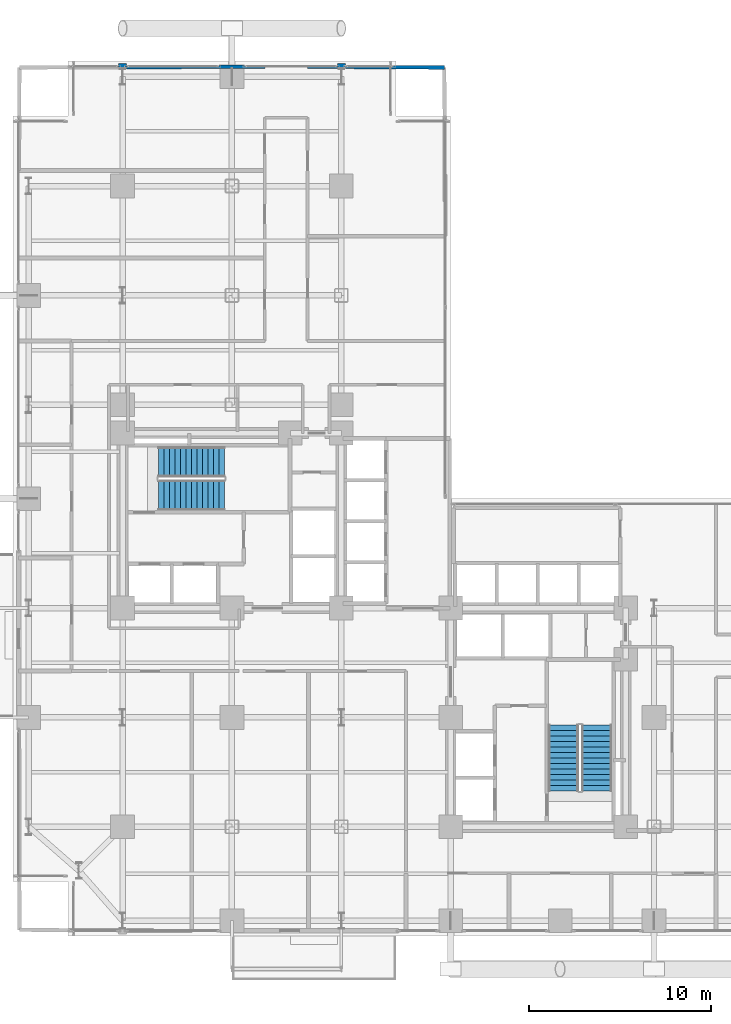
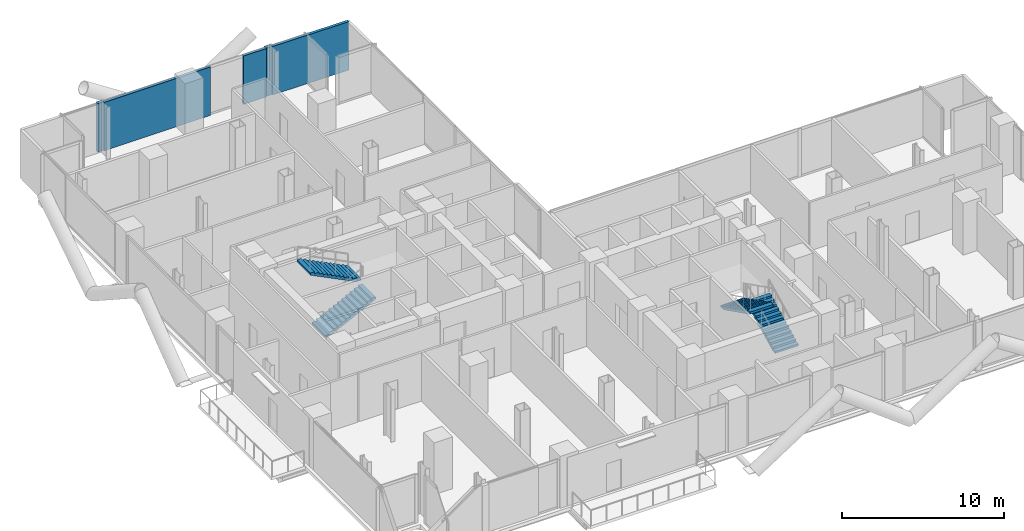
# One storey, part 23 of 25: 5 walls, 4 stair flights, 2 elements without a shape of their own.
"""IFC4 building model written with IfcOpenShell, lengths in metres."""

from ifc_helpers import new_model, si_unit, direction, frame, frame_2d, origin, place, context, subcontext, project, spatial, polyline, rectangle, outline, extrude, material, layer, layer_set, type_object, element, aggregate, save


model = new_model("IFC4")

# Units and contexts
model_context = context("Model", 3, precision=1e-05, world=origin(), true_north=direction((0.0, 1.0)))
body_context = subcontext(model_context, "Body", "Model", "MODEL_VIEW")
ifc_project = project(units=[si_unit("LENGTHUNIT", "METRE"), si_unit("AREAUNIT", "SQUARE_METRE"), si_unit("VOLUMEUNIT", "CUBIC_METRE"), si_unit("PLANEANGLEUNIT", "RADIAN"), si_unit("MASSUNIT", "GRAM", prefix="KILO"), si_unit("THERMODYNAMICTEMPERATUREUNIT", "KELVIN"), si_unit("POWERUNIT", "WATT")], contexts=[model_context])

# Site, building, storey
site_placement = place(None, origin())
site = spatial("IfcSite", under=ifc_project, at=site_placement, CompositionType="ELEMENT")
building_placement = place(site_placement, origin())
building = spatial("IfcBuilding", under=site, at=building_placement, Name="Svarakhadi Broadcast Tower", CompositionType="ELEMENT")
storey_placement = place(building_placement, frame((0.0, 0.0, 67.5)))
storey = spatial("IfcBuildingStorey", under=building, at=storey_placement, Name="L15", CompositionType="ELEMENT", Elevation=67.5)

# Walls
ifc_material_1 = material(Name="Double-Stud Acoustic Studio Partition STC-62", Category="gypsum")
ifc_layer_1 = layer(ifc_material_1, 0.199951171875)
ifc_layer_set_1 = layer_set([ifc_layer_1], Name="Double-Stud Acoustic Studio Partition STC-62")
wall_type_1 = type_object("IfcWallType", Name="Wall_Acoust_200", PredefinedType="PARTITIONING", material=ifc_layer_set_1)
wall_1_placement = place(storey_placement, frame((6.215087890625, 47.671875, 0.0), z_axis=(0.0, 0.0, 1.0), x_axis=(0.999993149305, 0.003701532515, 0.0)))
element("IfcWall", 1, at=wall_1_placement, inside=storey, type_object=wall_type_1, Name="L15 Crew Locker Store Wall", PredefinedType="PARTITIONING", context=body_context, shape_type="SweptSolid", body=[
    extrude(rectangle(XDim=7.5849609375, YDim=0.199951171875, at=frame_2d((3.79248046875, 0.0))), origin(), (0.0, 0.0, 1.0), 3.64990234375),
])
wall_2_placement = place(storey_placement, frame((16.14990234375, 47.699951171875, 0.0), z_axis=(0.0, 0.0, 1.0), x_axis=(0.999978417552, -0.006569964219, 0.0)))
element("IfcWall", 2, at=wall_2_placement, inside=storey, type_object=wall_type_1, Name="L15 Staff Shower Room Wall", PredefinedType="PARTITIONING", context=body_context, shape_type="SweptSolid", body=[
    extrude(rectangle(XDim=1.635009765625, YDim=0.199951171875, at=frame_2d((0.8173828125, 0.0))), origin(), (0.0, 0.0, 1.0), 3.64990234375),
])
wall_3_placement = place(storey_placement, frame((18.215087890625, 47.686279296875, 0.0), z_axis=(0.0, 0.0, 1.0), x_axis=(0.999977600485, -0.006693170229, 0.0)))
element("IfcWall", 3, at=wall_3_placement, inside=storey, type_object=wall_type_1, Name="L15 Staff Shower Room Wall", PredefinedType="PARTITIONING", context=body_context, shape_type="SweptSolid", body=[
    extrude(rectangle(XDim=5.434814453125, YDim=0.199951171875, at=frame_2d((2.71728515625, 0.0))), origin(), (0.0, 0.0, 1.0), 3.64990234375),
])
ifc_material_2 = material(Name="Concrete C40/50 (IS 456 M50)", Category="concrete")
ifc_layer_2 = layer(ifc_material_2, 0.239990234375)
ifc_layer_set_2 = layer_set([ifc_layer_2], Name="Concrete C40/50 (IS 456 M50)")
wall_type_2 = type_object("IfcWallType", Name="Wall_Ext_240", PredefinedType="SOLIDWALL", material=ifc_layer_set_2)
for number, where, z_axis, x_axis, name in (
    (4, (5.784912109375, 47.760009765625, 0.0), (0.0, 0.0, 1.0), (1.0, 0.0, 0.0), "L15 Perimeter Bronze Spandrel Closure Wall 01"),
    (5, (17.784912109375, 47.760009765625, 0.0), (0.0, 0.0, 1.0), (1.0, 0.0, 0.0), "L15 Perimeter Bronze Spandrel Closure Wall 02"),
):
    element("IfcWall", number, at=place(storey_placement, frame(where, z_axis=z_axis, x_axis=x_axis)), inside=storey, type_object=wall_type_2, Name=name, PredefinedType="SOLIDWALL", context=body_context, shape_type="SweptSolid", body=[
        extrude(rectangle(XDim=0.43017578125, YDim=0.239990234375, at=frame_2d((0.215087890625, 0.0))), origin(), (0.0, 0.0, 1.0), 3.64990234375),
    ])

# Stair, stair flights
stair_type = type_object("IfcStairType", Name="Stair_Exit_Core", PredefinedType="HALF_TURN_STAIR", material=ifc_material_2)
stair_1_placement = place(storey_placement, origin())
stair_1 = element("IfcStair", 6, at=stair_1_placement, inside=storey, type_object=stair_type, Name="L15 West Core Protected Exit Stair ST-01", PredefinedType="HALF_TURN_STAIR")
stair_flight_type = type_object("IfcStairFlightType", Name="Flight_RC_1680", PredefinedType="STRAIGHT", material=ifc_material_2)
stair_flight_1_placement = place(storey_placement, frame((7.97998046875, 24.18994140625, 0.0), z_axis=(0.0, 0.0, 1.0), x_axis=(1.0, 0.0, 0.0)))
stair_flight_1 = element("IfcStairFlight", 7, at=stair_flight_1_placement, type_object=stair_flight_type, Name="ST-01 flight 1", NumberOfRisers=13, NumberOfTreads=12, PredefinedType="STRAIGHT", RiserHeight=0.15, TreadLength=0.3, context=body_context, shape_type="SweptSolid", body=[
    extrude(outline(polyline([(0.0, 0.0), (0.0, 0.14990234375), (0.300048828125, 0.14990234375), (0.300048828125, 0.300048828125), (0.60009765625, 0.300048828125), (0.60009765625, 0.449951171875), (0.89990234375, 0.449951171875), (0.89990234375, 0.60009765625), (1.199951171875, 0.60009765625), (1.199951171875, 0.75), (1.5, 0.75), (1.5, 0.89990234375), (1.800048828125, 0.89990234375), (1.800048828125, 1.050048828125), (2.10009765625, 1.050048828125), (2.10009765625, 1.199951171875), (2.39990234375, 1.199951171875), (2.39990234375, 1.35009765625), (2.699951171875, 1.35009765625), (2.699951171875, 1.5), (3.0, 1.5), (3.0, 1.64990234375), (3.300048828125, 1.64990234375), (3.300048828125, 1.800048828125), (3.60009765625, 1.800048828125), (3.60009765625, 1.949951171875), (3.60009765625, 1.63232421875), (0.335205078125, 0.0), (0.0, 0.0)])), frame((0.0, 0.830078125, 0.0), z_axis=(0.0, -1.0, 0.0), x_axis=(1.0, 0.0, 0.0)), (0.0, 0.0, 1.0), 1.659912109375),
])
stair_flight_2_placement = place(storey_placement, frame((11.580078125, 26.010009765625, 1.949951171875), z_axis=(0.0, 0.0, 1.0), x_axis=(-1.0, 0.0, 0.0)))
stair_flight_2 = element("IfcStairFlight", 8, at=stair_flight_2_placement, type_object=stair_flight_type, Name="ST-01 flight 2", NumberOfRisers=13, NumberOfTreads=12, PredefinedType="STRAIGHT", RiserHeight=0.15, TreadLength=0.3, context=body_context, shape_type="SweptSolid", body=[
    extrude(outline(polyline([(0.0, 0.0), (0.0, 0.14990234375), (0.300048828125, 0.14990234375), (0.300048828125, 0.300048828125), (0.60009765625, 0.300048828125), (0.60009765625, 0.449951171875), (0.89990234375, 0.449951171875), (0.89990234375, 0.60009765625), (1.199951171875, 0.60009765625), (1.199951171875, 0.75), (1.5, 0.75), (1.5, 0.89990234375), (1.800048828125, 0.89990234375), (1.800048828125, 1.050048828125), (2.10009765625, 1.050048828125), (2.10009765625, 1.199951171875), (2.39990234375, 1.199951171875), (2.39990234375, 1.35009765625), (2.699951171875, 1.35009765625), (2.699951171875, 1.5), (3.0, 1.5), (3.0, 1.64990234375), (3.300048828125, 1.64990234375), (3.300048828125, 1.800048828125), (3.60009765625, 1.800048828125), (3.60009765625, 1.949951171875), (3.60009765625, 1.63232421875), (0.335205078125, 0.0), (0.0, 0.0)])), frame((0.0, 0.830078125, 0.0), z_axis=(0.0, -1.0, 0.0), x_axis=(1.0, 0.0, 0.0)), (0.0, 0.0, 1.0), 1.659912109375),
])
aggregate(stair_1, [stair_flight_1, stair_flight_2])

stair_2_placement = place(storey_placement, origin())
stair_2 = element("IfcStair", 9, at=stair_2_placement, inside=storey, type_object=stair_type, Name="L15 East Core Protected Exit Stair ST-02", PredefinedType="HALF_TURN_STAIR")
stair_flight_3_placement = place(storey_placement, frame((32.010009765625, 7.97998046875, 0.0), z_axis=(0.0, 0.0, 1.0), x_axis=(0.0, 1.0, 0.0)))
stair_flight_3 = element("IfcStairFlight", 10, at=stair_flight_3_placement, type_object=stair_flight_type, Name="ST-02 flight 1", NumberOfRisers=13, NumberOfTreads=12, PredefinedType="STRAIGHT", RiserHeight=0.15, TreadLength=0.3, context=body_context, shape_type="SweptSolid", body=[
    extrude(outline(polyline([(0.0, 0.0), (0.0, 0.14990234375), (0.300048828125, 0.14990234375), (0.300048828125, 0.300048828125), (0.60009765625, 0.300048828125), (0.60009765625, 0.449951171875), (0.89990234375, 0.449951171875), (0.89990234375, 0.60009765625), (1.199951171875, 0.60009765625), (1.199951171875, 0.75), (1.5, 0.75), (1.5, 0.89990234375), (1.800048828125, 0.89990234375), (1.800048828125, 1.050048828125), (2.10009765625, 1.050048828125), (2.10009765625, 1.199951171875), (2.39990234375, 1.199951171875), (2.39990234375, 1.35009765625), (2.699951171875, 1.35009765625), (2.699951171875, 1.5), (3.0, 1.5), (3.0, 1.64990234375), (3.300048828125, 1.64990234375), (3.300048828125, 1.800048828125), (3.60009765625, 1.800048828125), (3.60009765625, 1.949951171875), (3.60009765625, 1.63232421875), (0.335205078125, 0.0), (0.0, 0.0)])), frame((0.0, 0.830078125, 0.0), z_axis=(0.0, -1.0, 0.0), x_axis=(1.0, 0.0, 0.0)), (0.0, 0.0, 1.0), 1.659912109375),
])
stair_flight_4_placement = place(storey_placement, frame((30.18994140625, 11.580078125, 1.949951171875), z_axis=(0.0, 0.0, 1.0), x_axis=(0.0, -1.0, 0.0)))
stair_flight_4 = element("IfcStairFlight", 11, at=stair_flight_4_placement, type_object=stair_flight_type, Name="ST-02 flight 2", NumberOfRisers=13, NumberOfTreads=12, PredefinedType="STRAIGHT", RiserHeight=0.15, TreadLength=0.3, context=body_context, shape_type="SweptSolid", body=[
    extrude(outline(polyline([(0.0, 0.0), (0.0, 0.14990234375), (0.300048828125, 0.14990234375), (0.300048828125, 0.300048828125), (0.60009765625, 0.300048828125), (0.60009765625, 0.449951171875), (0.89990234375, 0.449951171875), (0.89990234375, 0.60009765625), (1.199951171875, 0.60009765625), (1.199951171875, 0.75), (1.5, 0.75), (1.5, 0.89990234375), (1.800048828125, 0.89990234375), (1.800048828125, 1.050048828125), (2.10009765625, 1.050048828125), (2.10009765625, 1.199951171875), (2.39990234375, 1.199951171875), (2.39990234375, 1.35009765625), (2.699951171875, 1.35009765625), (2.699951171875, 1.5), (3.0, 1.5), (3.0, 1.64990234375), (3.300048828125, 1.64990234375), (3.300048828125, 1.800048828125), (3.60009765625, 1.800048828125), (3.60009765625, 1.949951171875), (3.60009765625, 1.63232421875), (0.335205078125, 0.0), (0.0, 0.0)])), frame((0.0, 0.830078125, 0.0), z_axis=(0.0, -1.0, 0.0), x_axis=(1.0, 0.0, 0.0)), (0.0, 0.0, 1.0), 1.659912109375),
])
aggregate(stair_2, [stair_flight_3, stair_flight_4])

save(model, "model.ifc")
